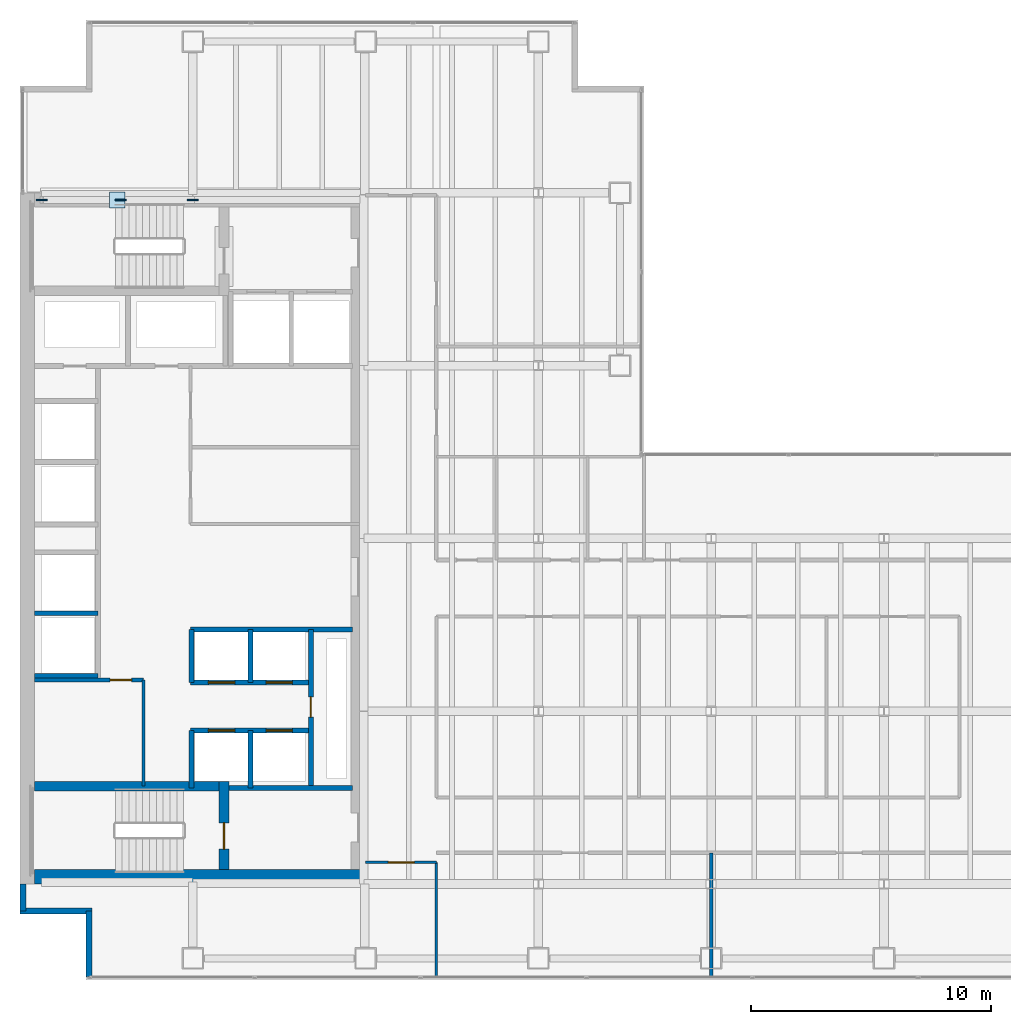
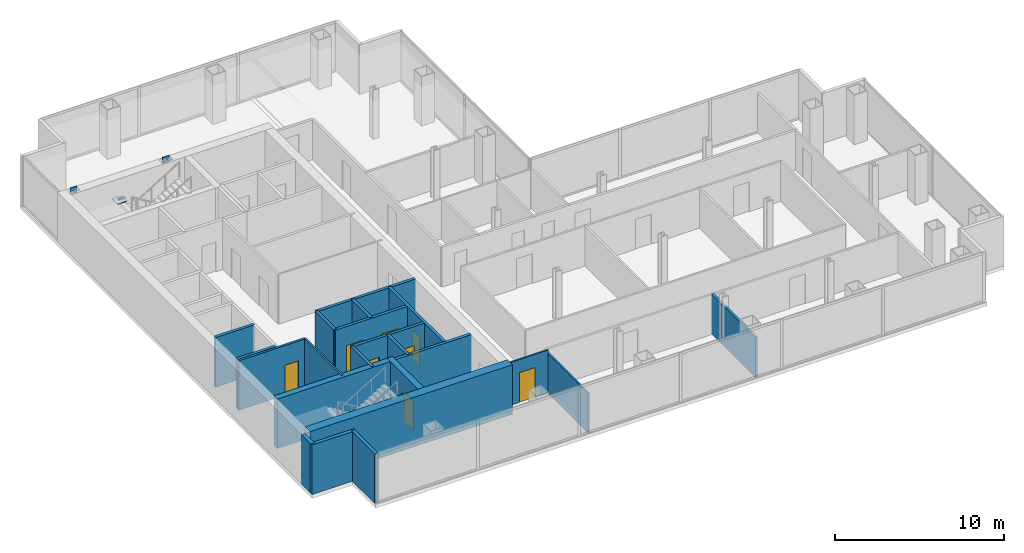
# One storey, part 20 of 23: 22 walls, 8 doors, 4 plates, 8 openings.
"""IFC4 building model written with IfcOpenShell, lengths in metres."""

from ifc_helpers import new_model, si_unit, direction, frame, frame_2d, origin, origin_2d, place, context, subcontext, project, spatial, rectangle, extrude, material, layer, layer_set, type_object, element, fill, save


model = new_model("IFC4")

# Units and contexts
model_context = context("Model", 3, precision=1e-05, world=origin(), true_north=direction((0.0, 1.0)))
body_context = subcontext(model_context, "Body", "Model", "MODEL_VIEW")
ifc_project = project(units=[si_unit("LENGTHUNIT", "METRE"), si_unit("AREAUNIT", "SQUARE_METRE"), si_unit("VOLUMEUNIT", "CUBIC_METRE"), si_unit("PLANEANGLEUNIT", "RADIAN"), si_unit("MASSUNIT", "GRAM", prefix="KILO")], contexts=[model_context])

# Site, building, storey
site_placement = place(None, origin())
site = spatial("IfcSite", under=ifc_project, at=site_placement, CompositionType="ELEMENT")
building_placement = place(site_placement, origin())
building = spatial("IfcBuilding", under=site, at=building_placement, Name="Cobrela Telecom Tower", CompositionType="ELEMENT")
storey_placement = place(building_placement, frame((0.0, 0.0, 117.60009765625)))
storey = spatial("IfcBuildingStorey", under=building, at=storey_placement, Name="L29", CompositionType="ELEMENT", Elevation=117.60009765625)

# Plates
ifc_material_1 = material(Name="Steel ASTM A572 Grade 50", Category="steel")
ifc_layer_1 = layer(ifc_material_1, 0.0419921875)
ifc_layer_set_1 = layer_set([ifc_layer_1], Name="Steel ASTM A572 Grade 50")
plate_type = type_object("IfcPlateType", Name="PLT-NODE-ND1", PredefinedType="USERDEFINED", material=ifc_layer_set_1)
for number, where, z_axis, x_axis, name in (
    (1, (7.199951171875, 35.699951171875, 3.389892578125), (0.0, 0.0, 1.0), (1.0, 0.0, 0.0), "Steel node plate PLT-MBR-EXO-L29-N1-A-1"),
    (2, (4.1953125, 35.699951171875, 1.4755859375), (0.0, 0.0, 1.0), (-1.0, 0.0, 0.0), "Steel node plate PLT-MBR-EXO-L29-N1-B1-1"),
    (3, (0.89990234375, 35.699951171875, 3.389892578125), (0.0, 0.0, 1.0), (-1.0, 0.0, 0.0), "Steel node plate PLT-MBR-EXO-L29-N1-B2-1"),
):
    element("IfcPlate", number, at=place(storey_placement, frame(where, z_axis=z_axis, x_axis=x_axis)), inside=storey, type_object=plate_type, Name=name, ObjectType="GUSSET PLATE", PredefinedType="USERDEFINED", context=body_context, shape_type="SweptSolid", body=[
        extrude(rectangle(XDim=0.4599609375, YDim=0.044921875, at=origin_2d()), origin(), (0.0, 0.0, 1.0), 0.4599609375),
    ])
plate_placement = place(storey_placement, frame((4.050048828125, 35.699951171875, 1.767333984375), z_axis=(0.0, 0.0, 1.0), x_axis=(1.0, 0.0, 0.0)))
element("IfcPlate", 4, at=plate_placement, inside=storey, type_object=plate_type, Name="L29 Core Flange Steel X-Brace Central X-Crossing Gusset Plate", ObjectType="GUSSET PLATE", PredefinedType="USERDEFINED", context=body_context, shape_type="SweptSolid", body=[
    extrude(rectangle(XDim=0.64990234375, YDim=0.64990234375, at=origin_2d()), origin(), (0.0, 0.0, 1.0), 0.044921875),
])

# Walls
ifc_material_2 = material(Name="Concrete C50/60", Category="concrete")
ifc_layer_2 = layer(ifc_material_2, 0.60009765625)
ifc_layer_set_2 = layer_set([ifc_layer_2], Name="Concrete C50/60")
wall_type_1 = type_object("IfcWallType", Name="WALL-CORE-C50-600", PredefinedType="SHEAR", material=ifc_layer_set_2)
wall_1_placement = place(storey_placement, frame((0.60009765625, 7.5, 0.0), z_axis=(0.0, 0.0, 1.0), x_axis=(1.0, 0.0, 0.0)))
element("IfcWall", 5, at=wall_1_placement, inside=storey, type_object=wall_type_1, Name="L29 South Core Shear Wall", PredefinedType="SHEAR", context=body_context, shape_type="SweptSolid", body=[
    extrude(rectangle(XDim=13.7998046875, YDim=0.60009765625, at=frame_2d((6.89990234375, 0.0))), origin(), (0.0, 0.0, 1.0), 3.579833984375),
])
ifc_material_3 = material(Name="Concrete C40/50", Category="concrete")
ifc_layer_3 = layer(ifc_material_3, 0.239990234375)
ifc_layer_set_3 = layer_set([ifc_layer_3], Name="Concrete C40/50")
wall_type_2 = type_object("IfcWallType", Name="WALL-EXT-300", PredefinedType="STANDARD", material=ifc_layer_set_3)
wall_2_placement = place(storey_placement, frame((2.8701171875, 3.320068359375, 0.0), z_axis=(0.0, 0.0, 1.0), x_axis=(0.0, 1.0, 0.0)))
element("IfcWall", 6, at=wall_2_placement, inside=storey, type_object=wall_type_2, Name="L29 Insulated Facade Wall 01", PredefinedType="STANDARD", context=body_context, shape_type="SweptSolid", body=[
    extrude(rectangle(XDim=2.75, YDim=0.239990234375, at=frame_2d((1.375, 0.0))), origin(), (0.0, 0.0, 1.0), 3.579833984375),
])
wall_3_placement = place(storey_placement, frame((2.989990234375, 6.070068359375, 0.0), z_axis=(0.0, 0.0, 1.0), x_axis=(-1.0, 0.0, 0.0)))
element("IfcWall", 7, at=wall_3_placement, inside=storey, type_object=wall_type_2, Name="L29 Insulated Facade Wall 02", PredefinedType="STANDARD", context=body_context, shape_type="SweptSolid", body=[
    extrude(rectangle(XDim=2.989990234375, YDim=0.239990234375, at=frame_2d((1.4951171875, 0.0))), origin(), (0.0, 0.0, 1.0), 3.579833984375),
])
wall_4_placement = place(storey_placement, frame((0.1201171875, 6.070068359375, 0.0), z_axis=(0.0, 0.0, 1.0), x_axis=(0.0, 1.0, 0.0)))
element("IfcWall", 8, at=wall_4_placement, inside=storey, type_object=wall_type_2, Name="L29 Insulated Facade Wall 03", PredefinedType="STANDARD", context=body_context, shape_type="SweptSolid", body=[
    extrude(rectangle(XDim=1.1298828125, YDim=0.239990234375, at=frame_2d((0.56494140625, 0.0))), origin(), (0.0, 0.0, 1.0), 3.579833984375),
])

# Wall, opening, door
ifc_material_4 = material(Name="Fire-Rated Gypsum Plasterboard")
ifc_layer_4 = layer(ifc_material_4, 0.110107421875)
ifc_layer_set_4 = layer_set([ifc_layer_4], Name="Fire-Rated Gypsum Plasterboard")
wall_type_3 = type_object("IfcWallType", Name="WALL-PART-110", PredefinedType="PARTITIONING", material=ifc_layer_set_4)
wall_5_placement = place(storey_placement, frame((14.39990234375, 8.10009765625, 0.0), z_axis=(0.0, 0.0, 1.0), x_axis=(1.0, 0.0, 0.0)))
wall_5 = element("IfcWall", 9, at=wall_5_placement, inside=storey, type_object=wall_type_3, Name="L29 Interior Partition W-UW-S0", PredefinedType="PARTITIONING", context=body_context, shape_type="SweptSolid", body=[
    extrude(rectangle(XDim=2.9501953125, YDim=0.110107421875, at=frame_2d((1.47509765625, 0.0))), origin(), (0.0, 0.0, 1.0), 3.097900390625),
])
opening_1_placement = place(wall_5_placement, frame((0.949951171875, 0.0, 0.0)))
opening_1 = element("IfcOpeningElement", 10, at=opening_1_placement, cuts=wall_5, Name="Opening DR-63", PredefinedType="OPENING", context=body_context, shape_type="SweptSolid", body=[
    extrude(rectangle(XDim=1.080078125, YDim=2.14990234375, at=frame_2d((0.5400390625, 1.074951171875))), frame((0.0, 0.06689453125, 0.0), z_axis=(0.0, -1.0, 0.0), x_axis=(1.0, 0.0, 0.0)), (0.0, 0.0, 1.0), 0.134033203125),
])
ifc_material_5 = material(Name="Solid Engineered Oak Timber", Category="wood")
door_type_1 = type_object("IfcDoorType", Name="DOOR-INT-1080", OperationType="SINGLE_SWING_LEFT", PredefinedType="DOOR", material=ifc_material_5)
door_1_placement = place(opening_1_placement, origin())
door_1 = element("IfcDoor", 11, at=door_1_placement, inside=storey, type_object=door_type_1, Name="L29 Door DR-63", OperationType="SINGLE_SWING_RIGHT", OverallHeight=2.14990234375, OverallWidth=1.080078125, PredefinedType="DOOR", context=body_context, shape_type="SweptSolid", body=[
    extrude(rectangle(XDim=1.080078125, YDim=2.14990234375, at=frame_2d((0.5400390625, 1.074951171875))), frame((0.0, 0.02490234375, 0.0), z_axis=(0.0, -1.0, 0.0), x_axis=(1.0, 0.0, 0.0)), (0.0, 0.0, 1.0), 0.050048828125),
])
fill(opening_1, door_1)

# Walls
wall_6_placement = place(storey_placement, frame((17.35009765625, 3.320068359375, 0.0), z_axis=(0.0, 0.0, 1.0), x_axis=(0.0, 1.0, 0.0)))
element("IfcWall", 12, at=wall_6_placement, inside=storey, type_object=wall_type_3, Name="L29 Interior Partition W-USW-E", PredefinedType="PARTITIONING", context=body_context, shape_type="SweptSolid", body=[
    extrude(rectangle(XDim=4.780029296875, YDim=0.110107421875, at=frame_2d((2.39013671875, 0.0))), origin(), (0.0, 0.0, 1.0), 2.868896484375),
])
ifc_layer_5 = layer(ifc_material_4, 0.135009765625)
ifc_layer_set_5 = layer_set([ifc_layer_5], Name="Fire-Rated Gypsum Plasterboard")
wall_type_4 = type_object("IfcWallType", Name="WALL-PART-135", PredefinedType="PARTITIONING", material=ifc_layer_set_5)
wall_7_placement = place(storey_placement, frame((5.14990234375, 11.280029296875, 0.0), z_axis=(0.0, 0.0, 1.0), x_axis=(0.0, 1.0, 0.0)))
element("IfcWall", 13, at=wall_7_placement, inside=storey, type_object=wall_type_4, Name="L29 Interior Partition CW-FLEX-E", PredefinedType="PARTITIONING", context=body_context, shape_type="SweptSolid", body=[
    extrude(rectangle(XDim=4.419921875, YDim=0.135009765625, at=frame_2d((2.2099609375, 0.0))), origin(), (0.0, 0.0, 1.0), 3.579833984375),
])

# Wall, opening, door
ifc_layer_6 = layer(ifc_material_4, 0.14990234375)
ifc_layer_set_6 = layer_set([ifc_layer_6], Name="Fire-Rated Gypsum Plasterboard")
wall_type_5 = type_object("IfcWallType", Name="WALL-PART-150", PredefinedType="PARTITIONING", material=ifc_layer_set_6)
wall_8_placement = place(storey_placement, frame((0.60009765625, 15.699951171875, 0.0), z_axis=(0.0, 0.0, 1.0), x_axis=(1.0, 0.0, 0.0)))
wall_8 = element("IfcWall", 14, at=wall_8_placement, inside=storey, type_object=wall_type_5, Name="L29 Interior Partition CW-FLEX-N", PredefinedType="PARTITIONING", context=body_context, shape_type="SweptSolid", body=[
    extrude(rectangle(XDim=4.5498046875, YDim=0.14990234375, at=frame_2d((2.27490234375, 0.0))), origin(), (0.0, 0.0, 1.0), 3.579833984375),
])
opening_2_placement = place(wall_8_placement, frame((3.14990234375, 0.0, 0.0)))
opening_2 = element("IfcOpeningElement", 15, at=opening_2_placement, cuts=wall_8, Name="Opening DR-41", PredefinedType="OPENING", context=body_context, shape_type="SweptSolid", body=[
    extrude(rectangle(XDim=0.89990234375, YDim=2.14990234375, at=frame_2d((0.449951171875, 1.074951171875))), frame((0.0, 0.0869140625, 0.0), z_axis=(0.0, -1.0, 0.0), x_axis=(1.0, 0.0, 0.0)), (0.0, 0.0, 1.0), 0.173828125),
])
door_type_2 = type_object("IfcDoorType", Name="DOOR-INT-900", OperationType="SINGLE_SWING_LEFT", PredefinedType="DOOR", material=ifc_material_5)
door_2_placement = place(opening_2_placement, origin())
door_2 = element("IfcDoor", 16, at=door_2_placement, inside=storey, type_object=door_type_2, Name="L29 Door DR-41", OperationType="SINGLE_SWING_LEFT", OverallHeight=2.14990234375, OverallWidth=0.89990234375, PredefinedType="DOOR", context=body_context, shape_type="SweptSolid", body=[
    extrude(rectangle(XDim=0.89990234375, YDim=2.14990234375, at=frame_2d((0.449951171875, 1.074951171875))), frame((0.0, 0.02490234375, 0.0), z_axis=(0.0, -1.0, 0.0), x_axis=(1.0, 0.0, 0.0)), (0.0, 0.0, 1.0), 0.050048828125),
])
fill(opening_2, door_2)

# Walls
ifc_layer_7 = layer(ifc_material_4, 0.159912109375)
ifc_layer_set_7 = layer_set([ifc_layer_7], Name="Fire-Rated Gypsum Plasterboard")
wall_type_6 = type_object("IfcWallType", Name="WALL-PART-160", PredefinedType="PARTITIONING", material=ifc_layer_set_7)
wall_9_placement = place(storey_placement, frame((28.800048828125, 3.320068359375, 0.0), z_axis=(0.0, 0.0, 1.0), x_axis=(0.0, 1.0, 0.0)))
element("IfcWall", 17, at=wall_9_placement, inside=storey, type_object=wall_type_6, Name="L29 Interior Partition W-USV-1", PredefinedType="PARTITIONING", context=body_context, shape_type="SweptSolid", body=[
    extrude(rectangle(XDim=5.179931640625, YDim=0.159912109375, at=frame_2d((2.58984375, 0.0))), origin(), (0.0, 0.0, 1.0), 2.868896484375),
])
ifc_layer_8 = layer(ifc_material_4, 0.199951171875)
ifc_layer_set_8 = layer_set([ifc_layer_8], Name="Fire-Rated Gypsum Plasterboard")
wall_type_7 = type_object("IfcWallType", Name="WALL-SHAFT-200", PredefinedType="PARTITIONING", material=ifc_layer_set_8)
wall_10_placement = place(storey_placement, frame((8.699951171875, 11.199951171875, 0.0), z_axis=(0.0, 0.0, 1.0), x_axis=(1.0, 0.0, 0.0)))
element("IfcWall", 18, at=wall_10_placement, inside=storey, type_object=wall_type_7, Name="L29 Shaft Enclosure CW-ST2L-N", PredefinedType="PARTITIONING", context=body_context, shape_type="SweptSolid", body=[
    extrude(rectangle(XDim=5.150146484375, YDim=0.199951171875, at=frame_2d((2.5751953125, 0.0))), origin(), (0.0, 0.0, 1.0), 3.579833984375),
])
for number, where, z_axis, x_axis, name in (
    (19, (0.60009765625, 15.8798828125, 0.0), (0.0, 0.0, 1.0), (1.0, 0.0, 0.0), "L29 Shaft Enclosure CW-PLH-D9"),
    (20, (0.60009765625, 18.47998046875, 0.0), (0.0, 0.0, 1.0), (1.0, 0.0, 0.0), "L29 Shaft Enclosure CW-PLH-D10"),
):
    element("IfcWall", number, at=place(storey_placement, frame(where, z_axis=z_axis, x_axis=x_axis)), inside=storey, type_object=wall_type_7, Name=name, PredefinedType="PARTITIONING", context=body_context, shape_type="SweptSolid", body=[
        extrude(rectangle(XDim=2.64990234375, YDim=0.199951171875, at=frame_2d((1.324951171875, 0.0))), origin(), (0.0, 0.0, 1.0), 3.579833984375),
    ])
wall_11_placement = place(storey_placement, frame((7.10009765625, 17.800048828125, 0.0), z_axis=(0.0, 0.0, 1.0), x_axis=(1.0, 0.0, 0.0)))
element("IfcWall", 21, at=wall_11_placement, inside=storey, type_object=wall_type_7, Name="L29 Shaft Enclosure CW-PLM-T0", PredefinedType="PARTITIONING", context=body_context, shape_type="SweptSolid", body=[
    extrude(rectangle(XDim=6.75, YDim=0.199951171875, at=frame_2d((3.375, 0.0))), origin(), (0.0, 0.0, 1.0), 3.579833984375),
])

# Wall, openings, doors
wall_12_placement = place(storey_placement, frame((7.10009765625, 15.60009765625, 0.0), z_axis=(0.0, 0.0, 1.0), x_axis=(1.0, 0.0, 0.0)))
wall_12 = element("IfcWall", 22, at=wall_12_placement, inside=storey, type_object=wall_type_7, Name="L29 Shaft Enclosure CW-PLM-N", PredefinedType="PARTITIONING", context=body_context, shape_type="SweptSolid", body=[
    extrude(rectangle(XDim=5.02001953125, YDim=0.199951171875, at=frame_2d((2.510009765625, 0.0))), origin(), (0.0, 0.0, 1.0), 3.579833984375),
])
opening_3_placement = place(wall_12_placement, frame((0.75, 0.0, 0.0)))
opening_3 = element("IfcOpeningElement", 23, at=opening_3_placement, cuts=wall_12, Name="Opening LD-1", PredefinedType="OPENING", context=body_context, shape_type="SweptSolid", body=[
    extrude(rectangle(XDim=1.10009765625, YDim=2.199951171875, at=frame_2d((0.550048828125, 1.10009765625))), frame((0.0, 0.11181640625, 0.0), z_axis=(0.0, -1.0, 0.0), x_axis=(1.0, 0.0, 0.0)), (0.0, 0.0, 1.0), 0.223876953125),
])
opening_4_placement = place(wall_12_placement, frame((3.14990234375, 0.0, 0.0)))
opening_4 = element("IfcOpeningElement", 24, at=opening_4_placement, cuts=wall_12, Name="Opening LD-1", PredefinedType="OPENING", context=body_context, shape_type="SweptSolid", body=[
    extrude(rectangle(XDim=1.10009765625, YDim=2.199951171875, at=frame_2d((0.550048828125, 1.10009765625))), frame((0.0, 0.11181640625, 0.0), z_axis=(0.0, -1.0, 0.0), x_axis=(1.0, 0.0, 0.0)), (0.0, 0.0, 1.0), 0.223876953125),
])
ifc_material_6 = material(Name="Steel ASTM A36", Category="steel")
door_type_3 = type_object("IfcDoorType", Name="DOOR-LD-PL", OperationType="SINGLE_SWING_LEFT", PredefinedType="DOOR", material=ifc_material_6)
door_3_placement = place(opening_3_placement, origin())
door_3 = element("IfcDoor", 25, at=door_3_placement, inside=storey, type_object=door_type_3, Name="L29 Lift Landing Door LD-1", OperationType="DOUBLE_DOOR_SLIDING", OverallHeight=2.199951171875, OverallWidth=1.10009765625, PredefinedType="DOOR", context=body_context, shape_type="SweptSolid", body=[
    extrude(rectangle(XDim=1.10009765625, YDim=2.199951171875, at=frame_2d((0.550048828125, 1.10009765625))), frame((0.0, 0.02490234375, 0.0), z_axis=(0.0, -1.0, 0.0), x_axis=(1.0, 0.0, 0.0)), (0.0, 0.0, 1.0), 0.050048828125),
])
fill(opening_3, door_3)
door_4_placement = place(opening_4_placement, origin())
door_4 = element("IfcDoor", 26, at=door_4_placement, inside=storey, type_object=door_type_3, Name="L29 Lift Landing Door LD-1", OperationType="DOUBLE_DOOR_SLIDING", OverallHeight=2.199951171875, OverallWidth=1.10009765625, PredefinedType="DOOR", context=body_context, shape_type="SweptSolid", body=[
    extrude(rectangle(XDim=1.10009765625, YDim=2.199951171875, at=frame_2d((0.550048828125, 1.10009765625))), frame((0.0, 0.02490234375, 0.0), z_axis=(0.0, -1.0, 0.0), x_axis=(1.0, 0.0, 0.0)), (0.0, 0.0, 1.0), 0.050048828125),
])
fill(opening_4, door_4)

wall_13_placement = place(storey_placement, frame((7.10009765625, 13.60009765625, 0.0), z_axis=(0.0, 0.0, 1.0), x_axis=(1.0, 0.0, 0.0)))
wall_13 = element("IfcWall", 27, at=wall_13_placement, inside=storey, type_object=wall_type_7, Name="L29 Shaft Enclosure CW-PLM-S", PredefinedType="PARTITIONING", context=body_context, shape_type="SweptSolid", body=[
    extrude(rectangle(XDim=5.02001953125, YDim=0.199951171875, at=frame_2d((2.510009765625, 0.0))), origin(), (0.0, 0.0, 1.0), 3.579833984375),
])
opening_5_placement = place(wall_13_placement, frame((0.75, 0.0, 0.0)))
opening_5 = element("IfcOpeningElement", 28, at=opening_5_placement, cuts=wall_13, Name="Opening LD-1", PredefinedType="OPENING", context=body_context, shape_type="SweptSolid", body=[
    extrude(rectangle(XDim=1.10009765625, YDim=2.199951171875, at=frame_2d((0.550048828125, 1.10009765625))), frame((0.0, 0.11181640625, 0.0), z_axis=(0.0, -1.0, 0.0), x_axis=(1.0, 0.0, 0.0)), (0.0, 0.0, 1.0), 0.223876953125),
])
opening_6_placement = place(wall_13_placement, frame((3.14990234375, 0.0, 0.0)))
opening_6 = element("IfcOpeningElement", 29, at=opening_6_placement, cuts=wall_13, Name="Opening LD-1", PredefinedType="OPENING", context=body_context, shape_type="SweptSolid", body=[
    extrude(rectangle(XDim=1.10009765625, YDim=2.199951171875, at=frame_2d((0.550048828125, 1.10009765625))), frame((0.0, 0.11181640625, 0.0), z_axis=(0.0, -1.0, 0.0), x_axis=(1.0, 0.0, 0.0)), (0.0, 0.0, 1.0), 0.223876953125),
])
door_5_placement = place(opening_5_placement, origin())
door_5 = element("IfcDoor", 30, at=door_5_placement, inside=storey, type_object=door_type_3, Name="L29 Lift Landing Door LD-1", OperationType="DOUBLE_DOOR_SLIDING", OverallHeight=2.199951171875, OverallWidth=1.10009765625, PredefinedType="DOOR", context=body_context, shape_type="SweptSolid", body=[
    extrude(rectangle(XDim=1.10009765625, YDim=2.199951171875, at=frame_2d((0.550048828125, 1.10009765625))), frame((0.0, 0.02490234375, 0.0), z_axis=(0.0, -1.0, 0.0), x_axis=(1.0, 0.0, 0.0)), (0.0, 0.0, 1.0), 0.050048828125),
])
fill(opening_5, door_5)
door_6_placement = place(opening_6_placement, origin())
door_6 = element("IfcDoor", 31, at=door_6_placement, inside=storey, type_object=door_type_3, Name="L29 Lift Landing Door LD-1", OperationType="DOUBLE_DOOR_SLIDING", OverallHeight=2.199951171875, OverallWidth=1.10009765625, PredefinedType="DOOR", context=body_context, shape_type="SweptSolid", body=[
    extrude(rectangle(XDim=1.10009765625, YDim=2.199951171875, at=frame_2d((0.550048828125, 1.10009765625))), frame((0.0, 0.02490234375, 0.0), z_axis=(0.0, -1.0, 0.0), x_axis=(1.0, 0.0, 0.0)), (0.0, 0.0, 1.0), 0.050048828125),
])
fill(opening_6, door_6)

# Walls
wall_14_placement = place(storey_placement, frame((7.14990234375, 15.60009765625, 0.0), z_axis=(0.0, 0.0, 1.0), x_axis=(0.0, 1.0, 0.0)))
element("IfcWall", 32, at=wall_14_placement, inside=storey, type_object=wall_type_7, Name="L29 Shaft Enclosure CW-PLM-V1", PredefinedType="PARTITIONING", context=body_context, shape_type="SweptSolid", body=[
    extrude(rectangle(XDim=2.199951171875, YDim=0.199951171875, at=frame_2d((1.10009765625, 0.0))), origin(), (0.0, 0.0, 1.0), 3.579833984375),
])
wall_15_placement = place(storey_placement, frame((7.14990234375, 11.199951171875, 0.0), z_axis=(0.0, 0.0, 1.0), x_axis=(0.0, 1.0, 0.0)))
element("IfcWall", 33, at=wall_15_placement, inside=storey, type_object=wall_type_7, Name="L29 Shaft Enclosure CW-PLM-V1B", PredefinedType="PARTITIONING", context=body_context, shape_type="SweptSolid", body=[
    extrude(rectangle(XDim=2.400146484375, YDim=0.199951171875, at=frame_2d((1.2001953125, 0.0))), origin(), (0.0, 0.0, 1.0), 3.579833984375),
])
wall_16_placement = place(storey_placement, frame((9.60009765625, 15.60009765625, 0.0), z_axis=(0.0, 0.0, 1.0), x_axis=(0.0, 1.0, 0.0)))
element("IfcWall", 34, at=wall_16_placement, inside=storey, type_object=wall_type_7, Name="L29 Shaft Enclosure CW-PLM-V2", PredefinedType="PARTITIONING", context=body_context, shape_type="SweptSolid", body=[
    extrude(rectangle(XDim=2.199951171875, YDim=0.199951171875, at=frame_2d((1.10009765625, 0.0))), origin(), (0.0, 0.0, 1.0), 3.579833984375),
])
wall_17_placement = place(storey_placement, frame((9.60009765625, 11.199951171875, 0.0), z_axis=(0.0, 0.0, 1.0), x_axis=(0.0, 1.0, 0.0)))
element("IfcWall", 35, at=wall_17_placement, inside=storey, type_object=wall_type_7, Name="L29 Shaft Enclosure CW-PLM-V2B", PredefinedType="PARTITIONING", context=body_context, shape_type="SweptSolid", body=[
    extrude(rectangle(XDim=2.400146484375, YDim=0.199951171875, at=frame_2d((1.2001953125, 0.0))), origin(), (0.0, 0.0, 1.0), 3.579833984375),
])

# Wall, opening, door
wall_18_placement = place(storey_placement, frame((12.1201171875, 11.199951171875, 0.0), z_axis=(0.0, 0.0, 1.0), x_axis=(0.0, 1.0, 0.0)))
wall_18 = element("IfcWall", 36, at=wall_18_placement, inside=storey, type_object=wall_type_7, Name="L29 Shaft Enclosure CW-PLM-V3", PredefinedType="PARTITIONING", context=body_context, shape_type="SweptSolid", body=[
    extrude(rectangle(XDim=6.60009765625, YDim=0.199951171875, at=frame_2d((3.300048828125, 0.0))), origin(), (0.0, 0.0, 1.0), 3.579833984375),
])
opening_7_placement = place(wall_18_placement, frame((2.949951171875, 0.0, 0.0)))
opening_7 = element("IfcOpeningElement", 37, at=opening_7_placement, cuts=wall_18, Name="Opening DR-11", PredefinedType="OPENING", context=body_context, shape_type="SweptSolid", body=[
    extrude(rectangle(XDim=0.85009765625, YDim=2.14990234375, at=frame_2d((0.425048828125, 1.074951171875))), frame((0.0, 0.11181640625, 0.0), z_axis=(0.0, -1.0, 0.0), x_axis=(1.0, 0.0, 0.0)), (0.0, 0.0, 1.0), 0.223876953125),
])
door_type_4 = type_object("IfcDoorType", Name="DOOR-INT-850", OperationType="SINGLE_SWING_LEFT", PredefinedType="DOOR", material=ifc_material_5)
door_7_placement = place(opening_7_placement, origin())
door_7 = element("IfcDoor", 38, at=door_7_placement, inside=storey, type_object=door_type_4, Name="L29 Door DR-11", OperationType="SINGLE_SWING_RIGHT", OverallHeight=2.14990234375, OverallWidth=0.85009765625, PredefinedType="DOOR", context=body_context, shape_type="SweptSolid", body=[
    extrude(rectangle(XDim=0.85009765625, YDim=2.14990234375, at=frame_2d((0.425048828125, 1.074951171875))), frame((0.0, 0.02490234375, 0.0), z_axis=(0.0, -1.0, 0.0), x_axis=(1.0, 0.0, 0.0)), (0.0, 0.0, 1.0), 0.050048828125),
])
fill(opening_7, door_7)

# Wall
ifc_layer_9 = layer(ifc_material_3, 0.39990234375)
ifc_layer_set_9 = layer_set([ifc_layer_9], Name="Concrete C40/50")
wall_type_8 = type_object("IfcWallType", Name="WALL-SHAFT-C40-400", PredefinedType="SHEAR", material=ifc_layer_set_9)
wall_19_placement = place(storey_placement, frame((0.60009765625, 11.280029296875, 0.0), z_axis=(0.0, 0.0, 1.0), x_axis=(1.0, 0.0, 0.0)))
element("IfcWall", 39, at=wall_19_placement, inside=storey, type_object=wall_type_8, Name="L29 South Stair Shear Wall", PredefinedType="SHEAR", context=body_context, shape_type="SweptSolid", body=[
    extrude(rectangle(XDim=7.699951171875, YDim=0.39990234375, at=frame_2d((3.85009765625, 0.0))), origin(), (0.0, 0.0, 1.0), 3.579833984375),
])

# Wall, opening, door
wall_20_placement = place(storey_placement, frame((8.5, 7.800048828125, 0.0), z_axis=(0.0, 0.0, 1.0), x_axis=(0.0, 1.0, 0.0)))
wall_20 = element("IfcWall", 40, at=wall_20_placement, inside=storey, type_object=wall_type_8, Name="L29 South Stair Lobby Shear Wall", PredefinedType="SHEAR", context=body_context, shape_type="SweptSolid", body=[
    extrude(rectangle(XDim=3.679931640625, YDim=0.39990234375, at=frame_2d((1.83984375, 0.0))), origin(), (0.0, 0.0, 1.0), 3.579833984375),
])
opening_8_placement = place(wall_20_placement, frame((0.85009765625, 0.0, 0.0)))
opening_8 = element("IfcOpeningElement", 41, at=opening_8_placement, cuts=wall_20, Name="Opening FD-90", PredefinedType="OPENING", context=body_context, shape_type="SweptSolid", body=[
    extrude(rectangle(XDim=1.10009765625, YDim=2.14990234375, at=frame_2d((0.550048828125, 1.074951171875))), frame((0.0, 0.2119140625, 0.0), z_axis=(0.0, -1.0, 0.0), x_axis=(1.0, 0.0, 0.0)), (0.0, 0.0, 1.0), 0.423828125),
])
door_type_5 = type_object("IfcDoorType", Name="DOOR-FD90-1100", OperationType="SINGLE_SWING_LEFT", PredefinedType="DOOR", material=ifc_material_6)
door_8_placement = place(opening_8_placement, origin())
door_8 = element("IfcDoor", 42, at=door_8_placement, inside=storey, type_object=door_type_5, Name="L29 Door FD-90", OperationType="SINGLE_SWING_LEFT", OverallHeight=2.14990234375, OverallWidth=1.10009765625, PredefinedType="DOOR", context=body_context, shape_type="SweptSolid", body=[
    extrude(rectangle(XDim=1.10009765625, YDim=2.14990234375, at=frame_2d((0.550048828125, 1.074951171875))), frame((0.0, 0.02490234375, 0.0), z_axis=(0.0, -1.0, 0.0), x_axis=(1.0, 0.0, 0.0)), (0.0, 0.0, 1.0), 0.050048828125),
])
fill(opening_8, door_8)

save(model, "model.ifc")
